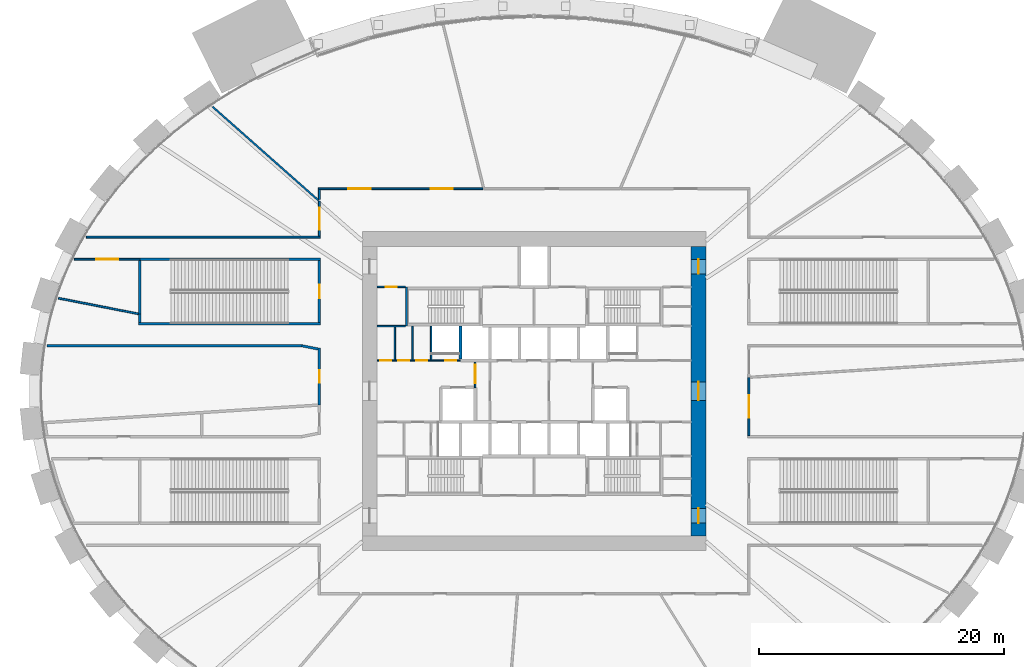
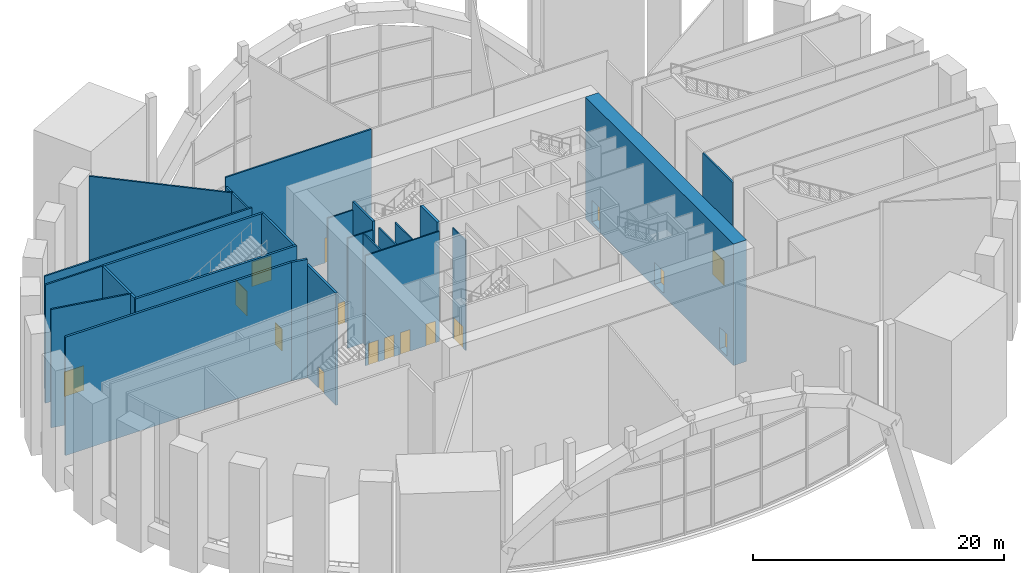
# One storey, part 9 of 21: 26 walls, 16 doors, 16 openings.
"""IFC4 building model written with IfcOpenShell, lengths in metres."""

from ifc_helpers import new_model, si_unit, direction, frame, frame_2d, origin, place, context, subcontext, project, spatial, rectangle, extrude, source, transform, mapped, material, layer, layer_set, type_object, element, fill, save


model = new_model("IFC4")

# Units and contexts
model_context = context("Model", 3, precision=1e-05, world=origin(), true_north=direction((0.0, 1.0)))
body_context = subcontext(model_context, "Body", "Model", "MODEL_VIEW")
ifc_project = project(units=[si_unit("LENGTHUNIT", "METRE"), si_unit("AREAUNIT", "SQUARE_METRE"), si_unit("VOLUMEUNIT", "CUBIC_METRE"), si_unit("PLANEANGLEUNIT", "RADIAN"), si_unit("MASSUNIT", "GRAM", prefix="KILO")], contexts=[model_context])

# Site, building, storey
site_placement = place(None, origin())
site = spatial("IfcSite", under=ifc_project, at=site_placement, CompositionType="ELEMENT")
building_placement = place(site_placement, origin())
building = spatial("IfcBuilding", under=site, at=building_placement, Name="Embergate Tower", CompositionType="ELEMENT")
storey_placement = place(building_placement, frame((0.0, 0.0, 12.0)))
storey = spatial("IfcBuildingStorey", under=building, at=storey_placement, Name="L01", CompositionType="ELEMENT", Elevation=12.0)

# Wall, openings, doors
ifc_material_1 = material(Name="Concrete C80", Category="concrete")
ifc_layer_1 = layer(ifc_material_1, 1.199951171875)
ifc_layer_set_1 = layer_set([ifc_layer_1], Name="Concrete C80")
wall_type_1 = type_object("IfcWallType", Name="Core outer wall C80 1200", PredefinedType="SHEAR", material=ifc_layer_set_1)
shared_shape_1 = source(origin(), body_context, "Body", "SweptSolid", [
    extrude(rectangle(XDim=23.60009765625, YDim=1.199951171875, at=frame_2d((11.800048828125, 0.0))), origin(), (0.0, 0.0, 1.0), 11.800048828125),
])
wall_1_placement = place(storey_placement, frame((13.39990234375, -11.800048828125, -0.300048828125), z_axis=(0.0, 0.0, 1.0), x_axis=(0.0, 1.0, 0.0)))
wall_1 = element("IfcWall", 1, at=wall_1_placement, inside=storey, type_object=wall_type_1, Name="CW-L01-E", PredefinedType="SHEAR", context=body_context, shape_type="MappedRepresentation", body=[
    mapped(shared_shape_1, transform((0.0, 0.0, 0.0))),
])
shared_shape_2 = source(origin(), body_context, "Body", "SweptSolid", [
    extrude(rectangle(XDim=1.199951171875, YDim=2.10009765625, at=frame_2d((0.60009765625, 1.050048828125))), frame((0.0, 0.60986328125, 0.0), z_axis=(0.0, -1.0, 0.0), x_axis=(1.0, 0.0, 0.0)), (0.0, 0.0, 1.0), 1.219970703125),
])
opening_1_placement = place(wall_1_placement, frame((21.35009765625, 0.0, 0.300048828125)))
opening_1 = element("IfcOpeningElement", 2, at=opening_1_placement, cuts=wall_1, Name="Opening IF-1", PredefinedType="OPENING", context=body_context, shape_type="MappedRepresentation", body=[
    mapped(shared_shape_2, transform((0.0, 0.0, 0.0))),
])
opening_2_placement = place(wall_1_placement, frame((1.050048828125, 0.0, 0.300048828125)))
opening_2 = element("IfcOpeningElement", 3, at=opening_2_placement, cuts=wall_1, Name="Opening IF-1", PredefinedType="OPENING", context=body_context, shape_type="MappedRepresentation", body=[
    mapped(shared_shape_2, transform((0.0, 0.0, 0.0))),
])
shared_shape_3 = source(origin(), body_context, "Body", "SweptSolid", [
    extrude(rectangle(XDim=1.5, YDim=2.10009765625, at=frame_2d((0.75, 1.050048828125))), frame((0.0, 0.60986328125, 0.0), z_axis=(0.0, -1.0, 0.0), x_axis=(1.0, 0.0, 0.0)), (0.0, 0.0, 1.0), 1.219970703125),
])
opening_3_placement = place(wall_1_placement, frame((11.050048828125, 0.0, 0.300048828125)))
opening_3 = element("IfcOpeningElement", 4, at=opening_3_placement, cuts=wall_1, Name="Opening IF-3", PredefinedType="OPENING", context=body_context, shape_type="MappedRepresentation", body=[
    mapped(shared_shape_3, transform((0.0, 0.0, 0.0))),
])
ifc_material_2 = material(Name="Escape fire door 1200")
door_type_1 = type_object("IfcDoorType", Name="Escape fire door 1200", OperationType="SINGLE_SWING_LEFT", PredefinedType="DOOR", material=ifc_material_2)
shared_shape_4 = source(origin(), body_context, "Body", "SweptSolid", [
    extrude(rectangle(XDim=1.199951171875, YDim=2.10009765625, at=frame_2d((0.60009765625, 1.050048828125))), frame((0.0, 0.02490234375, 0.0), z_axis=(0.0, -1.0, 0.0), x_axis=(1.0, 0.0, 0.0)), (0.0, 0.0, 1.0), 0.050048828125),
])
door_1_placement = place(opening_1_placement, origin())
door_1 = element("IfcDoor", 5, at=door_1_placement, inside=storey, type_object=door_type_1, Name="IF-1 door", OperationType="SINGLE_SWING_LEFT", OverallHeight=2.10009765625, OverallWidth=1.199951171875, PredefinedType="DOOR", context=body_context, shape_type="MappedRepresentation", body=[
    mapped(shared_shape_4, transform((0.0, 0.0, 0.0))),
])
fill(opening_1, door_1)
door_2_placement = place(opening_2_placement, origin())
door_2 = element("IfcDoor", 6, at=door_2_placement, inside=storey, type_object=door_type_1, Name="IF-1 door", OperationType="SINGLE_SWING_LEFT", OverallHeight=2.10009765625, OverallWidth=1.199951171875, PredefinedType="DOOR", context=body_context, shape_type="MappedRepresentation", body=[
    mapped(shared_shape_4, transform((0.0, 0.0, 0.0))),
])
fill(opening_2, door_2)
ifc_material_3 = material(Name="Lobby fire door pair 1500")
door_type_2 = type_object("IfcDoorType", Name="Lobby fire door pair 1500", OperationType="DOUBLE_DOOR_SINGLE_SWING", PredefinedType="DOOR", material=ifc_material_3)
shared_shape_5 = source(origin(), body_context, "Body", "SweptSolid", [
    extrude(rectangle(XDim=1.5, YDim=2.10009765625, at=frame_2d((0.75, 1.050048828125))), frame((0.0, 0.02490234375, 0.0), z_axis=(0.0, -1.0, 0.0), x_axis=(1.0, 0.0, 0.0)), (0.0, 0.0, 1.0), 0.050048828125),
])
door_3_placement = place(opening_3_placement, origin())
door_3 = element("IfcDoor", 7, at=door_3_placement, inside=storey, type_object=door_type_2, Name="IF-3 door", OperationType="DOUBLE_DOOR_SINGLE_SWING", OverallHeight=2.10009765625, OverallWidth=1.5, PredefinedType="DOOR", context=body_context, shape_type="MappedRepresentation", body=[
    mapped(shared_shape_5, transform((0.0, 0.0, 0.0))),
])
fill(opening_3, door_3)

# Wall
ifc_material_4 = material(Name="Concrete C50", Category="concrete")
ifc_layer_2 = layer(ifc_material_4, 0.25)
ifc_layer_set_2 = layer_set([ifc_layer_2], Name="Concrete C50")
wall_type_2 = type_object("IfcWallType", Name="Hoistway wall reinforced concrete 250", PredefinedType="SHEAR", material=ifc_layer_set_2)
shared_shape_6 = source(origin(), body_context, "Body", "SweptSolid", [
    extrude(rectangle(XDim=2.675048828125, YDim=0.25, at=frame_2d((1.33740234375, 0.0))), origin(), (0.0, 0.0, 1.0), 11.5),
])
wall_2_placement = place(storey_placement, frame((-6.0, 2.625, 0.0), z_axis=(0.0, 0.0, 1.0), x_axis=(0.0, 1.0, 0.0)))
element("IfcWall", 8, at=wall_2_placement, inside=storey, type_object=wall_type_2, Name="HW-1 wall", PredefinedType="SHEAR", context=body_context, shape_type="MappedRepresentation", body=[
    mapped(shared_shape_6, transform((0.0, 0.0, 0.0))),
])

# Wall, openings, doors
ifc_material_5 = material(Name="Core partition blockwork 120")
ifc_layer_3 = layer(ifc_material_5, 0.1201171875)
ifc_layer_set_3 = layer_set([ifc_layer_3], Name="Core partition blockwork 120")
wall_type_3 = type_object("IfcWallType", Name="Core partition blockwork 120", PredefinedType="PARTITIONING", material=ifc_layer_set_3)
shared_shape_7 = source(origin(), body_context, "Body", "SweptSolid", [
    extrude(rectangle(XDim=6.800048828125, YDim=0.1201171875, at=frame_2d((3.39990234375, 0.0))), origin(), (0.0, 0.0, 1.0), 10.699951171875),
])
wall_3_placement = place(storey_placement, frame((-12.800048828125, 2.5, 0.0), z_axis=(0.0, 0.0, 1.0), x_axis=(1.0, 0.0, 0.0)))
wall_3 = element("IfcWall", 9, at=wall_3_placement, inside=storey, type_object=wall_type_3, Name="IP-3 wall", PredefinedType="PARTITIONING", context=body_context, shape_type="MappedRepresentation", body=[
    mapped(shared_shape_7, transform((0.0, 0.0, 0.0))),
])
shared_shape_8 = source(origin(), body_context, "Body", "SweptSolid", [
    extrude(rectangle(XDim=0.89990234375, YDim=2.10009765625, at=frame_2d((0.449951171875, 1.050048828125))), frame((0.0, 0.070068359375, 0.0), z_axis=(0.0, -1.0, 0.0), x_axis=(1.0, 0.0, 0.0)), (0.0, 0.0, 1.0), 0.14013671875),
])
opening_4_placement = place(wall_3_placement, frame((5.550048828125, 0.0, 0.0)))
opening_4 = element("IfcOpeningElement", 10, at=opening_4_placement, cuts=wall_3, Name="Opening ID-1", PredefinedType="OPENING", context=body_context, shape_type="MappedRepresentation", body=[
    mapped(shared_shape_8, transform((0.0, 0.0, 0.0))),
])
opening_5_placement = place(wall_3_placement, frame((0.27587890625, 0.0, 0.0)))
opening_5 = element("IfcOpeningElement", 11, at=opening_5_placement, cuts=wall_3, Name="Opening ID-1", PredefinedType="OPENING", context=body_context, shape_type="MappedRepresentation", body=[
    mapped(shared_shape_8, transform((0.0, 0.0, 0.0))),
])
opening_6_placement = place(wall_3_placement, frame((1.72802734375, 0.0, 0.0)))
opening_6 = element("IfcOpeningElement", 12, at=opening_6_placement, cuts=wall_3, Name="Opening ID-1", PredefinedType="OPENING", context=body_context, shape_type="MappedRepresentation", body=[
    mapped(shared_shape_8, transform((0.0, 0.0, 0.0))),
])
opening_7_placement = place(wall_3_placement, frame((3.201904296875, 0.0, 0.0)))
opening_7 = element("IfcOpeningElement", 13, at=opening_7_placement, cuts=wall_3, Name="Opening ID-1", PredefinedType="OPENING", context=body_context, shape_type="MappedRepresentation", body=[
    mapped(shared_shape_8, transform((0.0, 0.0, 0.0))),
])
ifc_material_6 = material(Name="Interior door 900")
door_type_3 = type_object("IfcDoorType", Name="Interior door 900", OperationType="SINGLE_SWING_LEFT", PredefinedType="DOOR", material=ifc_material_6)
shared_shape_9 = source(origin(), body_context, "Body", "SweptSolid", [
    extrude(rectangle(XDim=0.89990234375, YDim=2.10009765625, at=frame_2d((0.449951171875, 1.050048828125))), frame((0.0, 0.02490234375, 0.0), z_axis=(0.0, -1.0, 0.0), x_axis=(1.0, 0.0, 0.0)), (0.0, 0.0, 1.0), 0.050048828125),
])
door_4_placement = place(opening_4_placement, origin())
door_4 = element("IfcDoor", 14, at=door_4_placement, inside=storey, type_object=door_type_3, Name="ID-1 door", OperationType="SINGLE_SWING_RIGHT", OverallHeight=2.10009765625, OverallWidth=0.89990234375, PredefinedType="DOOR", context=body_context, shape_type="MappedRepresentation", body=[
    mapped(shared_shape_9, transform((0.0, 0.0, 0.0))),
])
fill(opening_4, door_4)
door_5_placement = place(opening_5_placement, origin())
door_5 = element("IfcDoor", 15, at=door_5_placement, inside=storey, type_object=door_type_3, Name="ID-1 door", OperationType="SINGLE_SWING_RIGHT", OverallHeight=2.10009765625, OverallWidth=0.89990234375, PredefinedType="DOOR", context=body_context, shape_type="MappedRepresentation", body=[
    mapped(shared_shape_9, transform((0.0, 0.0, 0.0))),
])
fill(opening_5, door_5)
door_6_placement = place(opening_6_placement, origin())
door_6 = element("IfcDoor", 16, at=door_6_placement, inside=storey, type_object=door_type_3, Name="ID-1 door", OperationType="SINGLE_SWING_RIGHT", OverallHeight=2.10009765625, OverallWidth=0.89990234375, PredefinedType="DOOR", context=body_context, shape_type="MappedRepresentation", body=[
    mapped(shared_shape_9, transform((0.0, 0.0, 0.0))),
])
fill(opening_6, door_6)
door_7_placement = place(opening_7_placement, origin())
door_7 = element("IfcDoor", 17, at=door_7_placement, inside=storey, type_object=door_type_3, Name="ID-1 door", OperationType="SINGLE_SWING_LEFT", OverallHeight=2.10009765625, OverallWidth=0.89990234375, PredefinedType="DOOR", context=body_context, shape_type="MappedRepresentation", body=[
    mapped(shared_shape_9, transform((0.0, 0.0, 0.0))),
])
fill(opening_7, door_7)

# Walls
shared_shape_10 = source(origin(), body_context, "Body", "SweptSolid", [
    extrude(rectangle(XDim=2.739990234375, YDim=0.1201171875, at=frame_2d((1.3701171875, 0.0))), origin(), (0.0, 0.0, 1.0), 10.699951171875),
])
for number, where, z_axis, x_axis, name in (
    (18, (-8.39990234375, 5.300048828125, 0.0), (0.0, 0.0, 1.0), (0.0, -1.0, 0.0), "IP-3 wall"),
    (19, (-9.89599609375, 2.56005859375, 0.0), (0.0, 0.0, 1.0), (0.0, 1.0, 0.0), "IP-3 wall"),
):
    element("IfcWall", number, at=place(storey_placement, frame(where, z_axis=z_axis, x_axis=x_axis)), inside=storey, type_object=wall_type_3, Name=name, PredefinedType="PARTITIONING", context=body_context, shape_type="MappedRepresentation", body=[
        mapped(shared_shape_10, transform((0.0, 0.0, 0.0))),
    ])

# Wall, opening, door
shared_shape_11 = source(origin(), body_context, "Body", "SweptSolid", [
    extrude(rectangle(XDim=2.074951171875, YDim=0.1201171875, at=frame_2d((1.03759765625, 0.0))), origin(), (0.0, 0.0, 1.0), 10.699951171875),
])
wall_4_placement = place(storey_placement, frame((-4.800048828125, 2.375, 0.0), z_axis=(0.0, 0.0, 1.0), x_axis=(0.0, -1.0, 0.0)))
wall_4 = element("IfcWall", 20, at=wall_4_placement, inside=storey, type_object=wall_type_3, Name="IP-3 wall", PredefinedType="PARTITIONING", context=body_context, shape_type="MappedRepresentation", body=[
    mapped(shared_shape_11, transform((0.0, 0.0, 0.0))),
])
shared_shape_12 = source(origin(), body_context, "Body", "SweptSolid", [
    extrude(rectangle(XDim=1.5, YDim=2.10009765625, at=frame_2d((0.75, 1.050048828125))), frame((0.0, 0.070068359375, 0.0), z_axis=(0.0, -1.0, 0.0), x_axis=(1.0, 0.0, 0.0)), (0.0, 0.0, 1.0), 0.14013671875),
])
opening_8_placement = place(wall_4_placement, frame((0.22509765625, 0.0, 0.0)))
opening_8 = element("IfcOpeningElement", 21, at=opening_8_placement, cuts=wall_4, Name="Opening IF-3", PredefinedType="OPENING", context=body_context, shape_type="MappedRepresentation", body=[
    mapped(shared_shape_12, transform((0.0, 0.0, 0.0))),
])
door_8_placement = place(opening_8_placement, origin())
door_8 = element("IfcDoor", 22, at=door_8_placement, inside=storey, type_object=door_type_2, Name="IF-3 door", OperationType="DOUBLE_DOOR_SINGLE_SWING", OverallHeight=2.10009765625, OverallWidth=1.5, PredefinedType="DOOR", context=body_context, shape_type="MappedRepresentation", body=[
    mapped(shared_shape_5, transform((0.0, 0.0, 0.0))),
])
fill(opening_8, door_8)

# Wall
ifc_layer_4 = layer(ifc_material_4, 0.199951171875)
ifc_layer_set_4 = layer_set([ifc_layer_4], Name="Concrete C50")
wall_type_4 = type_object("IfcWallType", Name="Stair enclosure wall reinforced concrete 250", PredefinedType="SHEAR", material=ifc_layer_set_4)
shared_shape_13 = source(origin(), body_context, "Body", "SweptSolid", [
    extrude(rectangle(XDim=3.199951171875, YDim=0.199951171875, at=frame_2d((1.60009765625, 0.0))), origin(), (0.0, 0.0, 1.0), 11.5),
])
wall_5_placement = place(storey_placement, frame((-10.39990234375, 8.5, 0.0), z_axis=(0.0, 0.0, 1.0), x_axis=(0.0, -1.0, 0.0)))
element("IfcWall", 23, at=wall_5_placement, inside=storey, type_object=wall_type_4, Name="SE-1 wall", PredefinedType="SHEAR", context=body_context, shape_type="MappedRepresentation", body=[
    mapped(shared_shape_13, transform((0.0, 0.0, 0.0))),
])

# Wall, opening, door
shared_shape_14 = source(origin(), body_context, "Body", "SweptSolid", [
    extrude(rectangle(XDim=2.300048828125, YDim=0.1201171875, at=frame_2d((1.14990234375, 0.0))), origin(), (0.0, 0.0, 1.0), 10.699951171875),
])
wall_6_placement = place(storey_placement, frame((-12.800048828125, 8.5, 0.0), z_axis=(0.0, 0.0, 1.0), x_axis=(1.0, 0.0, 0.0)))
wall_6 = element("IfcWall", 24, at=wall_6_placement, inside=storey, type_object=wall_type_3, Name="IP-3 wall", PredefinedType="PARTITIONING", context=body_context, shape_type="MappedRepresentation", body=[
    mapped(shared_shape_14, transform((0.0, 0.0, 0.0))),
])
opening_9_placement = place(wall_6_placement, frame((0.699951171875, 0.0, 0.0)))
opening_9 = element("IfcOpeningElement", 25, at=opening_9_placement, cuts=wall_6, Name="Opening ID-1", PredefinedType="OPENING", context=body_context, shape_type="MappedRepresentation", body=[
    mapped(shared_shape_8, transform((0.0, 0.0, 0.0))),
])
door_9_placement = place(opening_9_placement, origin())
door_9 = element("IfcDoor", 26, at=door_9_placement, inside=storey, type_object=door_type_3, Name="ID-1 door", OperationType="SINGLE_SWING_LEFT", OverallHeight=2.10009765625, OverallWidth=0.89990234375, PredefinedType="DOOR", context=body_context, shape_type="MappedRepresentation", body=[
    mapped(shared_shape_9, transform((0.0, 0.0, 0.0))),
])
fill(opening_9, door_9)

# Walls
wall_7_placement = place(storey_placement, frame((-10.5, 5.300048828125, 0.0), z_axis=(0.0, 0.0, 1.0), x_axis=(-1.0, 0.0, 0.0)))
element("IfcWall", 27, at=wall_7_placement, inside=storey, type_object=wall_type_3, Name="IP-3 wall", PredefinedType="PARTITIONING", context=body_context, shape_type="MappedRepresentation", body=[
    mapped(shared_shape_14, transform((0.0, 0.0, 0.0))),
])
shared_shape_15 = source(origin(), body_context, "Body", "SweptSolid", [
    extrude(rectangle(XDim=2.679931640625, YDim=0.1201171875, at=frame_2d((1.33984375, 0.0))), origin(), (0.0, 0.0, 1.0), 10.699951171875),
])
wall_8_placement = place(storey_placement, frame((-11.347900390625, 2.56005859375, 0.0), z_axis=(0.0, 0.0, 1.0), x_axis=(0.0, 1.0, 0.0)))
element("IfcWall", 28, at=wall_8_placement, inside=storey, type_object=wall_type_3, Name="IP-3 wall", PredefinedType="PARTITIONING", context=body_context, shape_type="MappedRepresentation", body=[
    mapped(shared_shape_15, transform((0.0, 0.0, 0.0))),
])
ifc_material_7 = material(Name="Blockwork, plastered", Category="masonry")
ifc_layer_5 = layer(ifc_material_7, 0.199951171875)
ifc_layer_set_5 = layer_set([ifc_layer_5], Name="Blockwork, plastered")
wall_type_5 = type_object("IfcWallType", Name="Partition wall 200 block", PredefinedType="PARTITIONING", material=ifc_layer_set_5)
shared_shape_16 = source(origin(), body_context, "Body", "SweptSolid", [
    extrude(rectangle(XDim=20.76416015625, YDim=0.199951171875, at=frame_2d((10.382080078125, 0.0))), origin(), (0.0, 0.0, 1.0), 11.5),
])
wall_9_placement = place(storey_placement, frame((-39.696044921875, 3.699951171875, 0.0), z_axis=(0.0, 0.0, 1.0), x_axis=(1.0, 0.0, 0.0)))
element("IfcWall", 29, at=wall_9_placement, inside=storey, type_object=wall_type_5, Name="Partition 001", PredefinedType="PARTITIONING", context=body_context, shape_type="MappedRepresentation", body=[
    mapped(shared_shape_16, transform((0.0, 0.0, 0.0))),
])

# Wall, opening, door
ifc_material_8 = material(Name="Plasterboard on steel stud", Category="steel")
ifc_layer_6 = layer(ifc_material_8, 0.14990234375)
ifc_layer_set_6 = layer_set([ifc_layer_6], Name="Plasterboard on steel stud")
wall_type_6 = type_object("IfcWallType", Name="Partition wall 150 board", PredefinedType="PARTITIONING", material=ifc_layer_set_6)
shared_shape_17 = source(origin(), body_context, "Body", "SweptSolid", [
    extrude(rectangle(XDim=5.3388671875, YDim=0.14990234375, at=frame_2d((2.66943359375, 0.0))), origin(), (0.0, 0.0, 1.0), 11.5),
])
wall_10_placement = place(storey_placement, frame((-37.458984375, 10.75, 0.0), z_axis=(0.0, 0.0, 1.0), x_axis=(1.0, 0.0, 0.0)))
wall_10 = element("IfcWall", 30, at=wall_10_placement, inside=storey, type_object=wall_type_6, Name="Partition 007", PredefinedType="PARTITIONING", context=body_context, shape_type="MappedRepresentation", body=[
    mapped(shared_shape_17, transform((0.0, 0.0, 0.0))),
])
shared_shape_18 = source(origin(), body_context, "Body", "SweptSolid", [
    extrude(rectangle(XDim=1.800048828125, YDim=2.39990234375, at=frame_2d((0.89990234375, 1.199951171875))), frame((0.0, 0.0849609375, 0.0), z_axis=(0.0, -1.0, 0.0), x_axis=(1.0, 0.0, 0.0)), (0.0, 0.0, 1.0), 0.169921875),
])
opening_10_placement = place(wall_10_placement, frame((1.77001953125, 0.0, 0.0)))
opening_10 = element("IfcOpeningElement", 31, at=opening_10_placement, cuts=wall_10, Name="Opening DS-029", PredefinedType="OPENING", context=body_context, shape_type="MappedRepresentation", body=[
    mapped(shared_shape_18, transform((0.0, 0.0, 0.0))),
])
ifc_material_9 = material(Name="Timber door leaf, steel frame", Category="steel")
door_type_4 = type_object("IfcDoorType", Name="Double door 1800x2400", OperationType="DOUBLE_DOOR_SINGLE_SWING", PredefinedType="DOOR", material=ifc_material_9)
shared_shape_19 = source(origin(), body_context, "Body", "SweptSolid", [
    extrude(rectangle(XDim=1.800048828125, YDim=2.39990234375, at=frame_2d((0.89990234375, 1.199951171875))), frame((0.0, 0.02490234375, 0.0), z_axis=(0.0, -1.0, 0.0), x_axis=(1.0, 0.0, 0.0)), (0.0, 0.0, 1.0), 0.050048828125),
])
door_10_placement = place(opening_10_placement, origin())
door_10 = element("IfcDoor", 32, at=door_10_placement, inside=storey, type_object=door_type_4, Name="Door to Tea house", OperationType="SINGLE_SWING_LEFT", OverallHeight=2.39990234375, OverallWidth=1.800048828125, PredefinedType="DOOR", context=body_context, shape_type="MappedRepresentation", body=[
    mapped(shared_shape_19, transform((0.0, 0.0, 0.0))),
])
fill(opening_10, door_10)

# Walls
ifc_material_10 = material(Name="Concrete C40", Category="concrete")
ifc_layer_7 = layer(ifc_material_10, 0.199951171875)
ifc_layer_set_7 = layer_set([ifc_layer_7], Name="Concrete C40")
wall_type_7 = type_object("IfcWallType", Name="Stair enclosure wall RC 200", PredefinedType="STANDARD", material=ifc_layer_set_7)
shared_shape_20 = source(origin(), body_context, "Body", "SweptSolid", [
    extrude(rectangle(XDim=14.72021484375, YDim=0.199951171875, at=frame_2d((7.360107421875, 0.0))), origin(), (0.0, 0.0, 1.0), 11.5),
])
wall_11_placement = place(storey_placement, frame((-17.39990234375, 10.75, 0.0), z_axis=(0.0, 0.0, 1.0), x_axis=(-1.0, 0.0, 0.0)))
element("IfcWall", 33, at=wall_11_placement, inside=storey, type_object=wall_type_7, Name="Stair wall 028", PredefinedType="STANDARD", context=body_context, shape_type="MappedRepresentation", body=[
    mapped(shared_shape_20, transform((0.0, 0.0, 0.0))),
])
shared_shape_21 = source(origin(), body_context, "Body", "SweptSolid", [
    extrude(rectangle(XDim=0.677001953125, YDim=0.199951171875, at=frame_2d((0.33837890625, 0.0))), origin(), (0.0, 0.0, 1.0), 11.5),
])
wall_12_placement = place(storey_placement, frame((-32.1201171875, 5.60009765625, 0.0), z_axis=(0.0, 0.0, 1.0), x_axis=(0.0, 1.0, 0.0)))
element("IfcWall", 34, at=wall_12_placement, inside=storey, type_object=wall_type_7, Name="Stair wall 012", PredefinedType="STANDARD", context=body_context, shape_type="MappedRepresentation", body=[
    mapped(shared_shape_21, transform((0.0, 0.0, 0.0))),
])
shared_shape_22 = source(origin(), body_context, "Body", "SweptSolid", [
    extrude(rectangle(XDim=14.820068359375, YDim=0.199951171875, at=frame_2d((7.41015625, 0.0))), origin(), (0.0, 0.0, 1.0), 11.5),
])
wall_13_placement = place(storey_placement, frame((-32.219970703125, 5.5, 0.0), z_axis=(0.0, 0.0, 1.0), x_axis=(1.0, 0.0, 0.0)))
element("IfcWall", 35, at=wall_13_placement, inside=storey, type_object=wall_type_7, Name="Stair wall 013", PredefinedType="STANDARD", context=body_context, shape_type="MappedRepresentation", body=[
    mapped(shared_shape_22, transform((0.0, 0.0, 0.0))),
])
shared_shape_23 = source(origin(), body_context, "Body", "SweptSolid", [
    extrude(rectangle(XDim=6.663818359375, YDim=0.14990234375, at=frame_2d((3.33203125, 0.0))), origin(), (0.0, 0.0, 1.0), 11.5),
])
wall_14_placement = place(storey_placement, frame((-32.218017578125, 6.2958984375, 0.0), z_axis=(0.0, 0.0, 1.0), x_axis=(-0.981407359775, 0.191936432651, 0.0)))
element("IfcWall", 36, at=wall_14_placement, inside=storey, type_object=wall_type_6, Name="Partition 014", PredefinedType="PARTITIONING", context=body_context, shape_type="MappedRepresentation", body=[
    mapped(shared_shape_23, transform((0.0, 0.0, 0.0))),
])
shared_shape_24 = source(origin(), body_context, "Body", "SweptSolid", [
    extrude(rectangle(XDim=4.372802734375, YDim=0.199951171875, at=frame_2d((2.1865234375, 0.0))), origin(), (0.0, 0.0, 1.0), 11.5),
])
wall_15_placement = place(storey_placement, frame((-32.1201171875, 10.64990234375, 0.0), z_axis=(0.0, 0.0, 1.0), x_axis=(0.0, -1.0, 0.0)))
element("IfcWall", 37, at=wall_15_placement, inside=storey, type_object=wall_type_7, Name="Stair wall 015", PredefinedType="STANDARD", context=body_context, shape_type="MappedRepresentation", body=[
    mapped(shared_shape_24, transform((0.0, 0.0, 0.0))),
])
shared_shape_25 = source(origin(), body_context, "Body", "SweptSolid", [
    extrude(rectangle(XDim=1.359375, YDim=0.199951171875, at=frame_2d((0.6796875, 0.0))), origin(), (0.0, 0.0, 1.0), 11.5),
])
wall_16_placement = place(storey_placement, frame((-18.931884765625, 3.699951171875, 0.0), z_axis=(0.0, 0.0, 1.0), x_axis=(0.981394126382, -0.192004085121, 0.0)))
element("IfcWall", 38, at=wall_16_placement, inside=storey, type_object=wall_type_5, Name="Partition 019", PredefinedType="PARTITIONING", context=body_context, shape_type="MappedRepresentation", body=[
    mapped(shared_shape_25, transform((0.0, 0.0, 0.0))),
])

# Wall, opening, door
shared_shape_26 = source(origin(), body_context, "Body", "SweptSolid", [
    extrude(rectangle(XDim=5.0498046875, YDim=0.199951171875, at=frame_2d((2.52490234375, 0.0))), origin(), (0.0, 0.0, 1.0), 11.5),
])
wall_17_placement = place(storey_placement, frame((-17.5, 5.60009765625, 0.0), z_axis=(0.0, 0.0, 1.0), x_axis=(0.0, 1.0, 0.0)))
wall_17 = element("IfcWall", 39, at=wall_17_placement, inside=storey, type_object=wall_type_7, Name="Stair wall 027", PredefinedType="STANDARD", context=body_context, shape_type="MappedRepresentation", body=[
    mapped(shared_shape_26, transform((0.0, 0.0, 0.0))),
])
shared_shape_27 = source(origin(), body_context, "Body", "SweptSolid", [
    extrude(rectangle(XDim=1.10009765625, YDim=2.10009765625, at=frame_2d((0.550048828125, 1.050048828125))), frame((0.0, 0.10986328125, 0.0), z_axis=(0.0, -1.0, 0.0), x_axis=(1.0, 0.0, 0.0)), (0.0, 0.0, 1.0), 0.219970703125),
])
opening_11_placement = place(wall_17_placement, frame((1.97509765625, 0.0, 0.0)))
opening_11 = element("IfcOpeningElement", 40, at=opening_11_placement, cuts=wall_17, Name="Opening DS-044", PredefinedType="OPENING", context=body_context, shape_type="MappedRepresentation", body=[
    mapped(shared_shape_27, transform((0.0, 0.0, 0.0))),
])
ifc_material_11 = material(Name="Steel fire door leaf", Category="steel")
door_type_5 = type_object("IfcDoorType", Name="Fire door class B 1100x2100", OperationType="SINGLE_SWING_LEFT", PredefinedType="DOOR", material=ifc_material_11)
shared_shape_28 = source(origin(), body_context, "Body", "SweptSolid", [
    extrude(rectangle(XDim=1.10009765625, YDim=2.10009765625, at=frame_2d((0.550048828125, 1.050048828125))), frame((0.0, 0.02490234375, 0.0), z_axis=(0.0, -1.0, 0.0), x_axis=(1.0, 0.0, 0.0)), (0.0, 0.0, 1.0), 0.050048828125),
])
door_11_placement = place(opening_11_placement, origin())
door_11 = element("IfcDoor", 41, at=door_11_placement, inside=storey, type_object=door_type_5, Name="Door to Exit stair enclosure", OperationType="SINGLE_SWING_LEFT", OverallHeight=2.10009765625, OverallWidth=1.10009765625, PredefinedType="DOOR", context=body_context, shape_type="MappedRepresentation", body=[
    mapped(shared_shape_28, transform((0.0, 0.0, 0.0))),
])
fill(opening_11, door_11)

shared_shape_29 = source(origin(), body_context, "Body", "SweptSolid", [
    extrude(rectangle(XDim=4.64697265625, YDim=0.199951171875, at=frame_2d((2.323486328125, 0.0))), origin(), (0.0, 0.0, 1.0), 10.912109375),
])
wall_18_placement = place(storey_placement, frame((-17.5, -1.126953125, 0.0), z_axis=(0.0, 0.0, 1.0), x_axis=(0.0, 1.0, 0.0)))
wall_18 = element("IfcWall", 42, at=wall_18_placement, inside=storey, type_object=wall_type_5, Name="Partition 026", PredefinedType="PARTITIONING", context=body_context, shape_type="MappedRepresentation", body=[
    mapped(shared_shape_29, transform((0.0, 0.0, 0.0))),
])
shared_shape_30 = source(origin(), body_context, "Body", "SweptSolid", [
    extrude(rectangle(XDim=1.0, YDim=2.10009765625, at=frame_2d((0.5, 1.050048828125))), frame((0.0, 0.10986328125, 0.0), z_axis=(0.0, -1.0, 0.0), x_axis=(1.0, 0.0, 0.0)), (0.0, 0.0, 1.0), 0.219970703125),
])
opening_12_placement = place(wall_18_placement, frame((1.822998046875, 0.0, 0.0)))
opening_12 = element("IfcOpeningElement", 43, at=opening_12_placement, cuts=wall_18, Name="Opening DS-030", PredefinedType="OPENING", context=body_context, shape_type="MappedRepresentation", body=[
    mapped(shared_shape_30, transform((0.0, 0.0, 0.0))),
])
door_type_6 = type_object("IfcDoorType", Name="Single door 1000x2100", OperationType="SINGLE_SWING_LEFT", PredefinedType="DOOR", material=ifc_material_9)
shared_shape_31 = source(origin(), body_context, "Body", "SweptSolid", [
    extrude(rectangle(XDim=1.0, YDim=2.10009765625, at=frame_2d((0.5, 1.050048828125))), frame((0.0, 0.02490234375, 0.0), z_axis=(0.0, -1.0, 0.0), x_axis=(1.0, 0.0, 0.0)), (0.0, 0.0, 1.0), 0.050048828125),
])
door_12_placement = place(opening_12_placement, origin())
door_12 = element("IfcDoor", 44, at=door_12_placement, inside=storey, type_object=door_type_6, Name="Door to Public WC", OperationType="SINGLE_SWING_LEFT", OverallHeight=2.10009765625, OverallWidth=1.0, PredefinedType="DOOR", context=body_context, shape_type="MappedRepresentation", body=[
    mapped(shared_shape_31, transform((0.0, 0.0, 0.0))),
])
fill(opening_12, door_12)

# Wall
shared_shape_32 = source(origin(), body_context, "Body", "SweptSolid", [
    extrude(rectangle(XDim=19.06494140625, YDim=0.14990234375, at=frame_2d((9.532470703125, 0.0))), origin(), (0.0, 0.0, 1.0), 10.912109375),
])
wall_19_placement = place(storey_placement, frame((-17.425048828125, 12.550048828125, 0.0), z_axis=(0.0, 0.0, 1.0), x_axis=(-1.0, 0.0, 0.0)))
element("IfcWall", 45, at=wall_19_placement, inside=storey, type_object=wall_type_6, Name="Partition 029", PredefinedType="PARTITIONING", context=body_context, shape_type="MappedRepresentation", body=[
    mapped(shared_shape_32, transform((0.0, 0.0, 0.0))),
])

# Wall, opening, door
shared_shape_33 = source(origin(), body_context, "Body", "SweptSolid", [
    extrude(rectangle(XDim=2.85400390625, YDim=0.14990234375, at=frame_2d((1.427001953125, 0.0))), origin(), (0.0, 0.0, 1.0), 10.60009765625),
])
wall_20_placement = place(storey_placement, frame((-17.5, 12.625, 0.0), z_axis=(0.0, 0.0, 1.0), x_axis=(0.0, 1.0, 0.0)))
wall_20 = element("IfcWall", 46, at=wall_20_placement, inside=storey, type_object=wall_type_6, Name="Partition 030", PredefinedType="PARTITIONING", context=body_context, shape_type="MappedRepresentation", body=[
    mapped(shared_shape_33, transform((0.0, 0.0, 0.0))),
])
opening_13_placement = place(wall_20_placement, frame((0.527099609375, 0.0, 0.0)))
opening_13 = element("IfcOpeningElement", 47, at=opening_13_placement, cuts=wall_20, Name="Opening DS-028", PredefinedType="OPENING", context=body_context, shape_type="MappedRepresentation", body=[
    mapped(shared_shape_18, transform((0.0, 0.0, 0.0))),
])
door_13_placement = place(opening_13_placement, origin())
door_13 = element("IfcDoor", 48, at=door_13_placement, inside=storey, type_object=door_type_4, Name="Door to Tea house", OperationType="SINGLE_SWING_LEFT", OverallHeight=2.39990234375, OverallWidth=1.800048828125, PredefinedType="DOOR", context=body_context, shape_type="MappedRepresentation", body=[
    mapped(shared_shape_19, transform((0.0, 0.0, 0.0))),
])
fill(opening_13, door_13)

# Walls
shared_shape_34 = source(origin(), body_context, "Body", "SweptSolid", [
    extrude(rectangle(XDim=11.5517578125, YDim=0.14990234375, at=frame_2d((5.77587890625, 0.0))), origin(), (0.0, 0.0, 1.0), 10.60009765625),
])
wall_21_placement = place(storey_placement, frame((-17.555908203125, 15.529052734375, 0.0), z_axis=(0.0, 0.0, 1.0), x_axis=(-0.749074413409, 0.662485866397, 0.0)))
element("IfcWall", 49, at=wall_21_placement, inside=storey, type_object=wall_type_6, Name="Partition 031", PredefinedType="PARTITIONING", context=body_context, shape_type="MappedRepresentation", body=[
    mapped(shared_shape_34, transform((0.0, 0.0, 0.0))),
])
shared_shape_35 = source(origin(), body_context, "Body", "SweptSolid", [
    extrude(rectangle(XDim=0.796142578125, YDim=0.14990234375, at=frame_2d((0.39794921875, 0.0))), origin(), (0.0, 0.0, 1.0), 10.60009765625),
])
wall_22_placement = place(storey_placement, frame((-17.5, 15.62890625, 0.0), z_axis=(0.0, 0.0, 1.0), x_axis=(0.0, 1.0, 0.0)))
element("IfcWall", 50, at=wall_22_placement, inside=storey, type_object=wall_type_6, Name="Partition 032", PredefinedType="PARTITIONING", context=body_context, shape_type="MappedRepresentation", body=[
    mapped(shared_shape_35, transform((0.0, 0.0, 0.0))),
])

# Wall, openings, doors
shared_shape_36 = source(origin(), body_context, "Body", "SweptSolid", [
    extrude(rectangle(XDim=13.39501953125, YDim=0.14990234375, at=frame_2d((6.697509765625, 0.0))), origin(), (0.0, 0.0, 1.0), 11.5),
])
wall_23_placement = place(storey_placement, frame((-17.574951171875, 16.5, 0.0), z_axis=(0.0, 0.0, 1.0), x_axis=(1.0, 0.0, 0.0)))
wall_23 = element("IfcWall", 51, at=wall_23_placement, inside=storey, type_object=wall_type_6, Name="Partition 033", PredefinedType="PARTITIONING", context=body_context, shape_type="MappedRepresentation", body=[
    mapped(shared_shape_36, transform((0.0, 0.0, 0.0))),
])
opening_14_placement = place(wall_23_placement, frame((2.448974609375, 0.0, 0.0)))
opening_14 = element("IfcOpeningElement", 52, at=opening_14_placement, cuts=wall_23, Name="Opening DS-026", PredefinedType="OPENING", context=body_context, shape_type="MappedRepresentation", body=[
    mapped(shared_shape_18, transform((0.0, 0.0, 0.0))),
])
opening_15_placement = place(wall_23_placement, frame((9.14599609375, 0.0, 0.0)))
opening_15 = element("IfcOpeningElement", 53, at=opening_15_placement, cuts=wall_23, Name="Opening DS-027", PredefinedType="OPENING", context=body_context, shape_type="MappedRepresentation", body=[
    mapped(shared_shape_18, transform((0.0, 0.0, 0.0))),
])
door_14_placement = place(opening_14_placement, origin())
door_14 = element("IfcDoor", 54, at=door_14_placement, inside=storey, type_object=door_type_4, Name="Door to Restaurant", OperationType="SINGLE_SWING_LEFT", OverallHeight=2.39990234375, OverallWidth=1.800048828125, PredefinedType="DOOR", context=body_context, shape_type="MappedRepresentation", body=[
    mapped(shared_shape_19, transform((0.0, 0.0, 0.0))),
])
fill(opening_14, door_14)
door_15_placement = place(opening_15_placement, origin())
door_15 = element("IfcDoor", 55, at=door_15_placement, inside=storey, type_object=door_type_4, Name="Door to Restaurant", OperationType="SINGLE_SWING_LEFT", OverallHeight=2.39990234375, OverallWidth=1.800048828125, PredefinedType="DOOR", context=body_context, shape_type="MappedRepresentation", body=[
    mapped(shared_shape_19, transform((0.0, 0.0, 0.0))),
])
fill(opening_15, door_15)

# Wall, opening, door
shared_shape_37 = source(origin(), body_context, "Body", "SweptSolid", [
    extrude(rectangle(XDim=4.751953125, YDim=0.14990234375, at=frame_2d((2.3759765625, 0.0))), origin(), (0.0, 0.0, 1.0), 10.912109375),
])
wall_24_placement = place(storey_placement, frame((17.5, 1.126953125, 0.0), z_axis=(0.0, 0.0, 1.0), x_axis=(0.0, -1.0, 0.0)))
wall_24 = element("IfcWall", 56, at=wall_24_placement, inside=storey, type_object=wall_type_6, Name="Partition 049", PredefinedType="PARTITIONING", context=body_context, shape_type="MappedRepresentation", body=[
    mapped(shared_shape_37, transform((0.0, 0.0, 0.0))),
])
opening_16_placement = place(wall_24_placement, frame((1.47607421875, 0.0, 0.0)))
opening_16 = element("IfcOpeningElement", 57, at=opening_16_placement, cuts=wall_24, Name="Opening DS-041", PredefinedType="OPENING", context=body_context, shape_type="MappedRepresentation", body=[
    mapped(shared_shape_18, transform((0.0, 0.0, 0.0))),
])
door_16_placement = place(opening_16_placement, origin())
door_16 = element("IfcDoor", 58, at=door_16_placement, inside=storey, type_object=door_type_4, Name="Door to Cafe", OperationType="SINGLE_SWING_LEFT", OverallHeight=2.39990234375, OverallWidth=1.800048828125, PredefinedType="DOOR", context=body_context, shape_type="MappedRepresentation", body=[
    mapped(shared_shape_19, transform((0.0, 0.0, 0.0))),
])
fill(opening_16, door_16)

save(model, "model.ifc")
